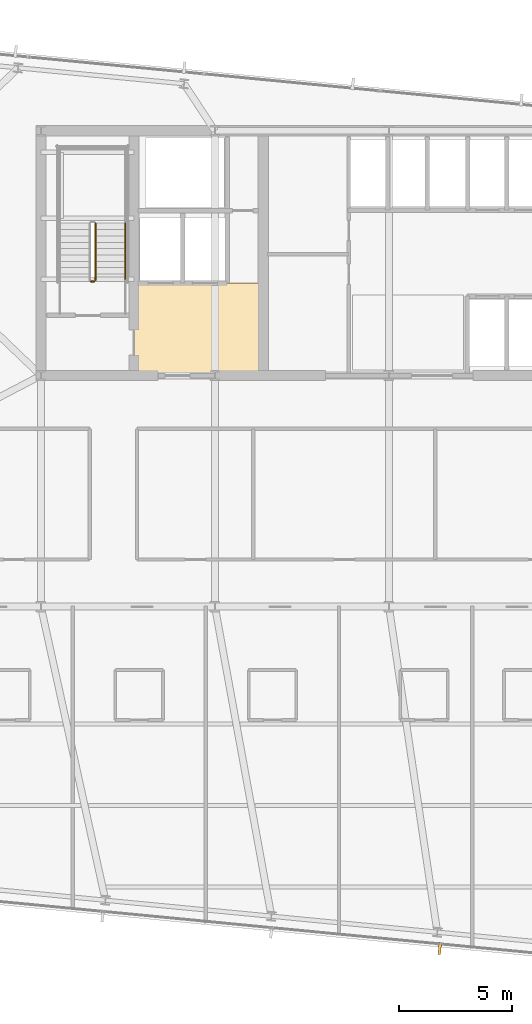
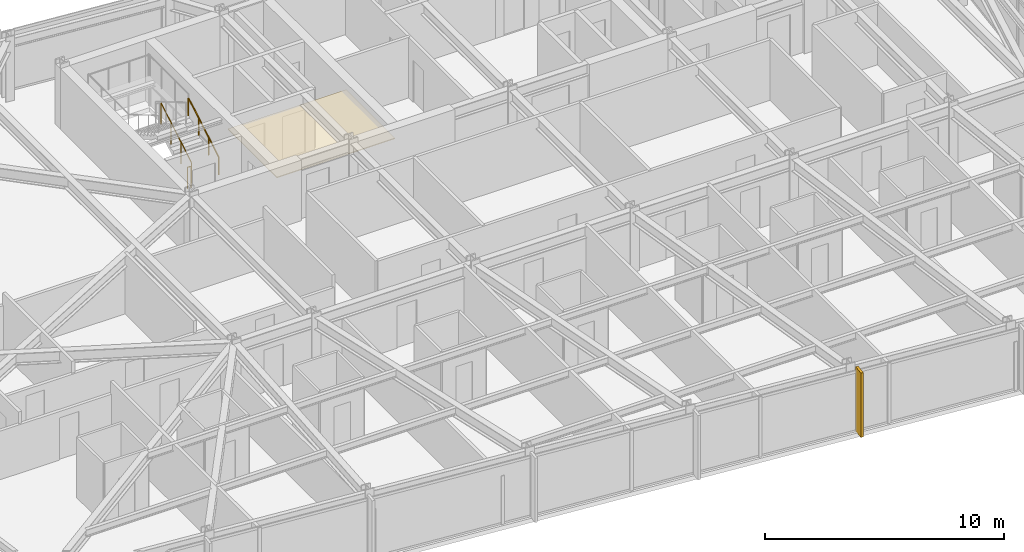
# One storey, part 34 of 38: 3 railings, 1 covering, 1 shading device.
"""IFC4 building model written with IfcOpenShell, lengths in metres."""

from ifc_helpers import new_model, si_unit, direction, frame, origin, origin_2d, place, context, subcontext, project, spatial, polyline, rectangle, circle, outline, extrude, material, layer, layer_set, type_object, element, save


model = new_model("IFC4")

# Units and contexts
model_context = context("Model", 3, precision=1e-05, world=origin(), true_north=direction((0.0, 1.0)))
body_context = subcontext(model_context, "Body", "Model", "MODEL_VIEW")
ifc_project = project(units=[si_unit("LENGTHUNIT", "METRE"), si_unit("AREAUNIT", "SQUARE_METRE"), si_unit("VOLUMEUNIT", "CUBIC_METRE"), si_unit("PLANEANGLEUNIT", "RADIAN"), si_unit("MASSUNIT", "GRAM", prefix="KILO")], contexts=[model_context])

# Site, building, storey
site_placement = place(None, origin())
site = spatial("IfcSite", under=ifc_project, at=site_placement, CompositionType="ELEMENT")
building_placement = place(site_placement, origin())
building = spatial("IfcBuilding", under=site, at=building_placement, Name="Yelkora Congress Tower", CompositionType="ELEMENT")
storey_placement = place(building_placement, frame((0.0, 0.0, 155.60009765625)))
storey = spatial("IfcBuildingStorey", under=building, at=storey_placement, Name="L42", CompositionType="ELEMENT", Elevation=155.60009765625)

# Covering
ifc_material_1 = material(Name="Perforated mineral-fibre acoustic ceiling", Category="gypsum")
ifc_layer_1 = layer(ifc_material_1, 0.0400390625)
ifc_layer_set_1 = layer_set([ifc_layer_1], Name="Perforated mineral-fibre acoustic ceiling")
covering_type = type_object("IfcCoveringType", Name="COV-CEIL-ACOUSTIC-40", PredefinedType="CEILING", material=ifc_layer_set_1)
covering_placement = place(storey_placement, frame((0.0, 0.0, 2.39990234375)))
element("IfcCovering", 1, at=covering_placement, inside=storey, type_object=covering_type, Name="L42 Firefighting Lobby Acoustic Ceiling", PredefinedType="CEILING", context=body_context, shape_type="SweptSolid", body=[
    extrude(outline(polyline([(27.14990234375, 35.39990234375), (32.85009765625, 35.39990234375), (32.85009765625, 39.47998046875), (27.14990234375, 39.47998046875), (27.14990234375, 35.39990234375)])), origin(), (0.0, 0.0, 1.0), 0.0400390625),
])

# Railings
ifc_material_2 = material(Name="Painted galvanised steel stair well guard with vertical infill", Category="steel")
ifc_layer_2 = layer(ifc_material_2, 0.06005859375)
ifc_layer_set_2 = layer_set([ifc_layer_2], Name="Painted galvanised steel stair well guard with vertical infill")
railing_type_1 = type_object("IfcRailingType", Name="RAIL-STAIR-GUARD-1120", PredefinedType="GUARDRAIL", material=ifc_layer_set_2)
railing_1_placement = place(storey_placement, frame((25.449951171875, 39.60009765625, 0.164794921875)))
element("IfcRailing", 2, at=railing_1_placement, inside=storey, type_object=railing_type_1, Name="ST-01 L42 Stair Well Guardrail 1", PredefinedType="GUARDRAIL", context=body_context, shape_type="SweptSolid", body=[
    extrude(circle(Radius=0.02392578125, at=origin_2d()), frame((0.0, 0.0, 1.09619140625), z_axis=(0.0, 0.86152411907, 0.507716645641), x_axis=(-1.0, 0.0, 0.0)), (0.0, 0.0, 1.0), 2.925048828125),
    extrude(circle(Radius=0.02099609375, at=origin_2d()), origin(), (0.0, 0.0, 1.0), 1.072021484375),
    extrude(circle(Radius=0.02099609375, at=origin_2d()), frame((0.0, 0.840087890625, 0.4951171875)), (0.0, 0.0, 1.0), 1.072021484375),
    extrude(circle(Radius=0.02099609375, at=origin_2d()), frame((0.0, 1.679931640625, 0.989990234375)), (0.0, 0.0, 1.0), 1.072021484375),
    extrude(circle(Radius=0.02099609375, at=origin_2d()), frame((0.0, 2.52001953125, 1.485107421875)), (0.0, 0.0, 1.0), 1.072021484375),
])
railing_2_placement = place(storey_placement, frame((25.39990234375, 39.550048828125, 0.0)))
element("IfcRailing", 3, at=railing_2_placement, inside=storey, type_object=railing_type_1, Name="ST-01 L42 Stair Well Guardrail 7", PredefinedType="GUARDRAIL", context=body_context, shape_type="SweptSolid", body=[
    extrude(circle(Radius=0.02392578125, at=origin_2d()), frame((0.0, 0.0, 1.09619140625), z_axis=(-1.0, 0.0, 0.0), x_axis=(0.0, -1.0, 0.0)), (0.0, 0.0, 1.0), 0.159912109375),
    extrude(circle(Radius=0.02099609375, at=origin_2d()), origin(), (0.0, 0.0, 1.0), 1.072021484375),
    extrude(circle(Radius=0.02099609375, at=origin_2d()), frame((-0.159912109375, 0.0, 0.0)), (0.0, 0.0, 1.0), 1.072021484375),
])
ifc_material_3 = material(Name="Brushed stainless steel tubular handrail", Category="steel")
ifc_layer_3 = layer(ifc_material_3, 0.050048828125)
ifc_layer_set_3 = layer_set([ifc_layer_3], Name="Brushed stainless steel tubular handrail")
railing_type_2 = type_object("IfcRailingType", Name="RAIL-STAIR-HAND-920", PredefinedType="HANDRAIL", material=ifc_layer_set_3)
railing_3_placement = place(storey_placement, frame((26.77001953125, 39.60009765625, 0.164794921875)))
element("IfcRailing", 4, at=railing_3_placement, inside=storey, type_object=railing_type_2, Name="ST-01 L42 Pitch Handrail 1", PredefinedType="HANDRAIL", context=body_context, shape_type="SweptSolid", body=[
    extrude(circle(Radius=0.02392578125, at=origin_2d()), frame((0.0, 0.0, 0.89599609375), z_axis=(0.0, 0.86152411907, 0.507716645641), x_axis=(-1.0, 0.0, 0.0)), (0.0, 0.0, 1.0), 2.925048828125),
    extrude(circle(Radius=0.02099609375, at=origin_2d()), origin(), (0.0, 0.0, 1.0), 0.871826171875),
    extrude(circle(Radius=0.02099609375, at=origin_2d()), frame((0.0, 0.840087890625, 0.4951171875)), (0.0, 0.0, 1.0), 0.871826171875),
    extrude(circle(Radius=0.02099609375, at=origin_2d()), frame((0.0, 1.679931640625, 0.989990234375)), (0.0, 0.0, 1.0), 0.871826171875),
    extrude(circle(Radius=0.02099609375, at=origin_2d()), frame((0.0, 2.52001953125, 1.485107421875)), (0.0, 0.0, 1.0), 0.871826171875),
])

# Shading device
ifc_material_4 = material(Name="Champagne anodised aluminium", Category="aluminium")
ifc_layer_4 = layer(ifc_material_4, 3.300048828125)
ifc_layer_set_4 = layer_set([ifc_layer_4], Name="Champagne anodised aluminium")
shading_device_type = type_object("IfcShadingDeviceType", Name="SHD-FIN-ALU-520", PredefinedType="USERDEFINED", material=ifc_layer_set_4)
shading_device_placement = place(storey_placement, frame((40.642333984375, 10.10791015625, -0.0302734375), z_axis=(0.0, 0.0, 1.0), x_axis=(-0.995396198367, 0.09584575252, 0.0)))
element("IfcShadingDevice", 5, at=shading_device_placement, inside=storey, type_object=shading_device_type, Name="L42 Vertical Anodised Solar Fin 20-2", ObjectType="FIN", PredefinedType="USERDEFINED", context=body_context, shape_type="SweptSolid", body=[
    extrude(rectangle(XDim=0.1201171875, YDim=0.52001953125, at=origin_2d()), origin(), (0.0, 0.0, 1.0), 3.280029296875),
])

save(model, "model.ifc")
